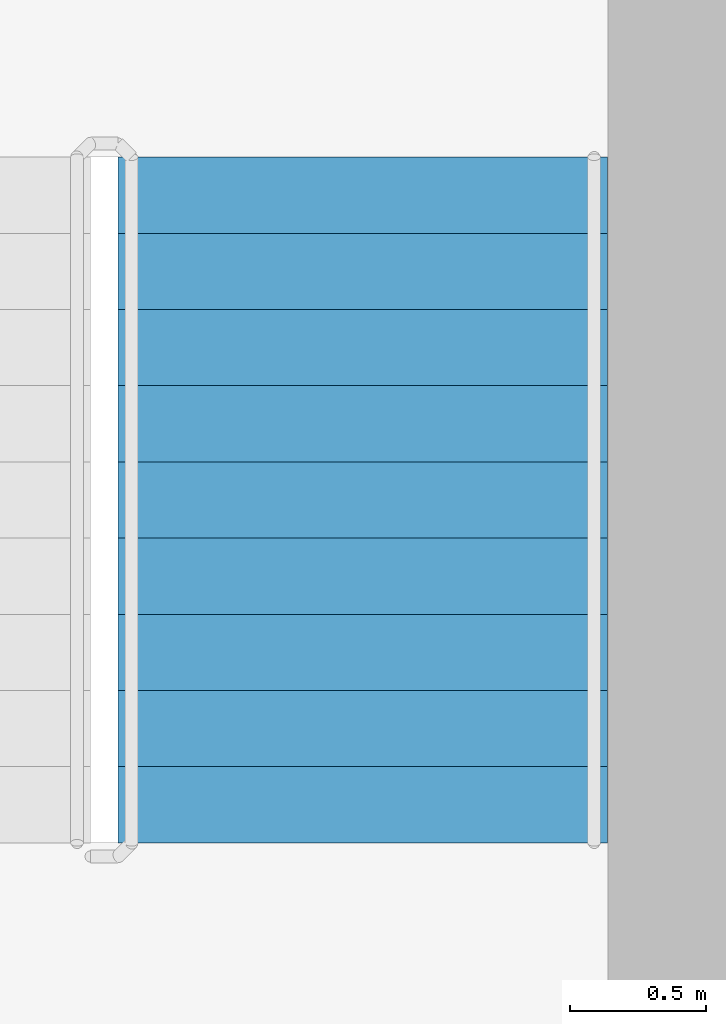
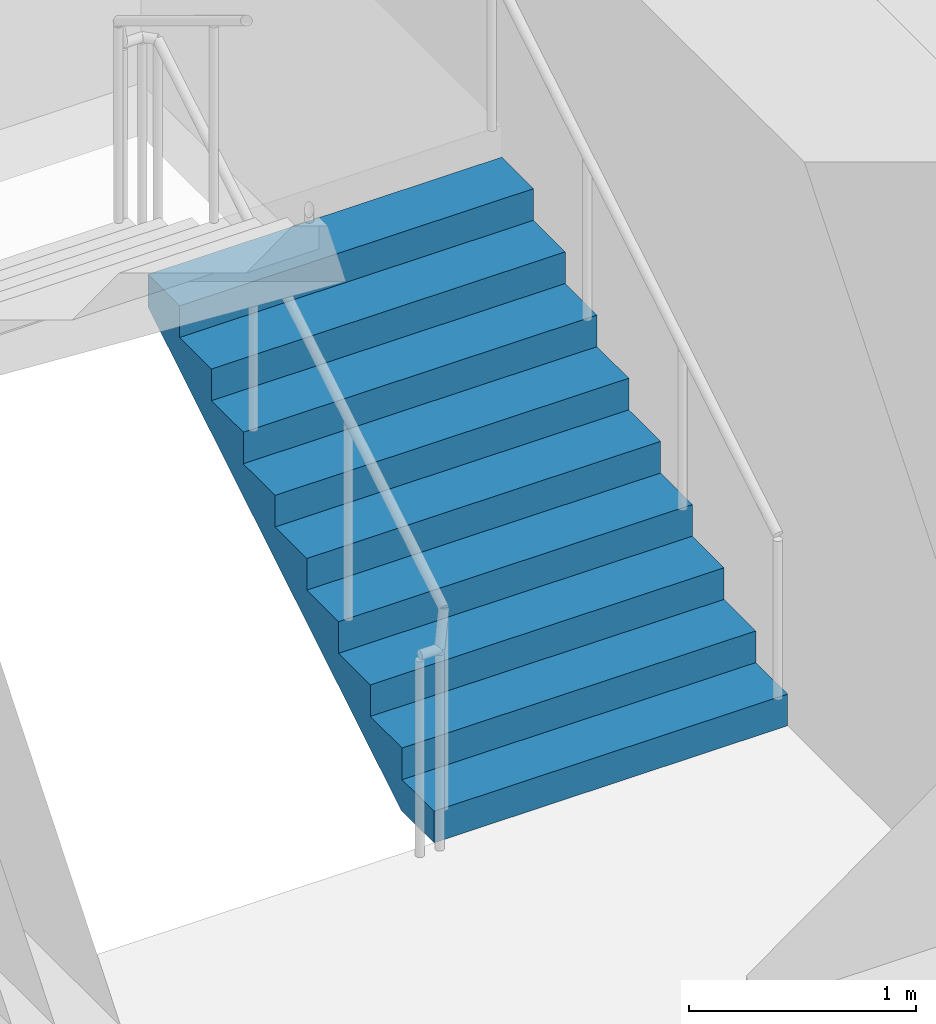
# One storey, part 13 of 22: 1 stair flight, 1 element without a shape of its own.
"""IFC4 building model written with IfcOpenShell, lengths in metres."""

from ifc_helpers import new_model, si_unit, direction, frame, origin, place, context, subcontext, project, spatial, triangles, source, transform, mapped, material, type_object, element, aggregate, save


model = new_model("IFC4")

# Units and contexts
model_context = context("Model", 3, precision=1e-05, world=origin(), true_north=direction((0.0, 1.0)))
body_context = subcontext(model_context, "Body", "Model", "MODEL_VIEW")
ifc_project = project(units=[si_unit("LENGTHUNIT", "METRE"), si_unit("AREAUNIT", "SQUARE_METRE"), si_unit("VOLUMEUNIT", "CUBIC_METRE"), si_unit("PLANEANGLEUNIT", "RADIAN"), si_unit("MASSUNIT", "GRAM", prefix="KILO")], contexts=[model_context])

# Site, building, storey
site_placement = place(None, origin())
site = spatial("IfcSite", under=ifc_project, at=site_placement, CompositionType="ELEMENT")
building_placement = place(site_placement, origin())
building = spatial("IfcBuilding", under=site, at=building_placement, Name="Kilnfold Tower and Market Hall", CompositionType="ELEMENT")
storey_placement = place(building_placement, frame((0.0, 0.0, 143.89990234375)))
storey = spatial("IfcBuildingStorey", under=building, at=storey_placement, Name="L32", CompositionType="ELEMENT", Elevation=143.89990234375)

# Stair, stair flight
ifc_material_1 = material(Name="Concrete C40/50", Category="concrete")
stair_type = type_object("IfcStairType", Name="CORE STAIR 1800", PredefinedType="HALF_TURN_STAIR", material=ifc_material_1)
stair_placement = place(storey_placement, origin())
stair = element("IfcStair", 1, at=stair_placement, inside=storey, type_object=stair_type, Name="L32 ST2", PredefinedType="HALF_TURN_STAIR")
ifc_material_2 = material(Name="Concrete C40/50", Category="concrete")
stair_flight_type = type_object("IfcStairFlightType", Name="CORE STAIR FLIGHT 1800", PredefinedType="STRAIGHT", material=ifc_material_2)
shared_shape = source(origin(), body_context, "Body", "Tessellation", [
    triangles([(0.0, 0.89990234375, 0.0), (0.0, 0.78759765625, 0.0), (0.0, 0.675048828125, 0.0), (0.0, 0.5625, 0.0), (0.0, 0.449951171875, 0.0), (0.0, 0.33740234375, 0.0), (0.0, 0.22509765625, 0.0), (0.0, 0.112548828125, 0.0), (0.0, 0.0, 0.0), (0.0, -0.112548828125, 0.0), (0.0, -0.22509765625, 0.0), (0.0, -0.33740234375, 0.0), (0.0, -0.449951171875, 0.0), (0.0, -0.5625, 0.0), (0.0, -0.675048828125, 0.0), (0.0, -0.78759765625, 0.0), (0.0, -0.89990234375, 0.0), (0.0, 0.89990234375, 0.169921875), (0.0, 0.78759765625, 0.169921875), (0.0, 0.675048828125, 0.169921875), (0.0, 0.5625, 0.169921875), (0.0, 0.449951171875, 0.169921875), (0.0, 0.33740234375, 0.169921875), (0.0, 0.22509765625, 0.169921875), (0.0, 0.112548828125, 0.169921875), (0.0, 0.0, 0.169921875), (0.0, -0.112548828125, 0.169921875), (0.0, -0.22509765625, 0.169921875), (0.0, -0.33740234375, 0.169921875), (0.0, -0.449951171875, 0.169921875), (0.0, -0.5625, 0.169921875), (0.0, -0.675048828125, 0.169921875), (0.0, -0.78759765625, 0.169921875), (0.0, -0.89990234375, 0.169921875), (0.280029296875, 0.89990234375, 0.169921875), (0.280029296875, 0.78759765625, 0.169921875), (0.280029296875, 0.675048828125, 0.169921875), (0.280029296875, 0.5625, 0.169921875), (0.280029296875, 0.449951171875, 0.169921875), (0.280029296875, 0.33740234375, 0.169921875), (0.280029296875, 0.22509765625, 0.169921875), (0.280029296875, 0.112548828125, 0.169921875), (0.280029296875, 0.0, 0.169921875), (0.280029296875, -0.112548828125, 0.169921875), (0.280029296875, -0.22509765625, 0.169921875), (0.280029296875, -0.33740234375, 0.169921875), (0.280029296875, -0.449951171875, 0.169921875), (0.280029296875, -0.5625, 0.169921875), (0.280029296875, -0.675048828125, 0.169921875), (0.280029296875, -0.78759765625, 0.169921875), (0.280029296875, -0.89990234375, 0.169921875), (0.280029296875, 0.89990234375, 0.340087890625), (0.280029296875, 0.78759765625, 0.340087890625), (0.280029296875, 0.675048828125, 0.340087890625), (0.280029296875, 0.5625, 0.340087890625), (0.280029296875, 0.449951171875, 0.340087890625), (0.280029296875, 0.33740234375, 0.340087890625), (0.280029296875, 0.22509765625, 0.340087890625), (0.280029296875, 0.112548828125, 0.340087890625), (0.280029296875, 0.0, 0.340087890625), (0.280029296875, -0.112548828125, 0.340087890625), (0.280029296875, -0.22509765625, 0.340087890625), (0.280029296875, -0.33740234375, 0.340087890625), (0.280029296875, -0.449951171875, 0.340087890625), (0.280029296875, -0.5625, 0.340087890625), (0.280029296875, -0.675048828125, 0.340087890625), (0.280029296875, -0.78759765625, 0.340087890625), (0.280029296875, -0.89990234375, 0.340087890625), (0.56005859375, 0.89990234375, 0.340087890625), (0.56005859375, 0.78759765625, 0.340087890625), (0.56005859375, 0.675048828125, 0.340087890625), (0.56005859375, 0.5625, 0.340087890625), (0.56005859375, 0.449951171875, 0.340087890625), (0.56005859375, 0.33740234375, 0.340087890625), (0.56005859375, 0.22509765625, 0.340087890625), (0.56005859375, 0.112548828125, 0.340087890625), (0.56005859375, 0.0, 0.340087890625), (0.56005859375, -0.112548828125, 0.340087890625), (0.56005859375, -0.22509765625, 0.340087890625), (0.56005859375, -0.33740234375, 0.340087890625), (0.56005859375, -0.449951171875, 0.340087890625), (0.56005859375, -0.5625, 0.340087890625), (0.56005859375, -0.675048828125, 0.340087890625), (0.56005859375, -0.78759765625, 0.340087890625), (0.56005859375, -0.89990234375, 0.340087890625), (0.56005859375, 0.89990234375, 0.510009765625), (0.56005859375, 0.78759765625, 0.510009765625), (0.56005859375, 0.675048828125, 0.510009765625), (0.56005859375, 0.5625, 0.510009765625), (0.56005859375, 0.449951171875, 0.510009765625), (0.56005859375, 0.33740234375, 0.510009765625), (0.56005859375, 0.22509765625, 0.510009765625), (0.56005859375, 0.112548828125, 0.510009765625), (0.56005859375, 0.0, 0.510009765625), (0.56005859375, -0.112548828125, 0.510009765625), (0.56005859375, -0.22509765625, 0.510009765625), (0.56005859375, -0.33740234375, 0.510009765625), (0.56005859375, -0.449951171875, 0.510009765625), (0.56005859375, -0.5625, 0.510009765625), (0.56005859375, -0.675048828125, 0.510009765625), (0.56005859375, -0.78759765625, 0.510009765625), (0.56005859375, -0.89990234375, 0.510009765625), (0.840087890625, 0.89990234375, 0.510009765625), (0.840087890625, 0.78759765625, 0.510009765625), (0.840087890625, 0.675048828125, 0.510009765625), (0.840087890625, 0.5625, 0.510009765625), (0.840087890625, 0.449951171875, 0.510009765625), (0.840087890625, 0.33740234375, 0.510009765625), (0.840087890625, 0.22509765625, 0.510009765625), (0.840087890625, 0.112548828125, 0.510009765625), (0.840087890625, 0.0, 0.510009765625), (0.840087890625, -0.112548828125, 0.510009765625), (0.840087890625, -0.22509765625, 0.510009765625), (0.840087890625, -0.33740234375, 0.510009765625), (0.840087890625, -0.449951171875, 0.510009765625), (0.840087890625, -0.5625, 0.510009765625), (0.840087890625, -0.675048828125, 0.510009765625), (0.840087890625, -0.78759765625, 0.510009765625), (0.840087890625, -0.89990234375, 0.510009765625), (0.840087890625, 0.89990234375, 0.679931640625), (0.840087890625, 0.78759765625, 0.679931640625), (0.840087890625, 0.675048828125, 0.679931640625), (0.840087890625, 0.5625, 0.679931640625), (0.840087890625, 0.449951171875, 0.679931640625), (0.840087890625, 0.33740234375, 0.679931640625), (0.840087890625, 0.22509765625, 0.679931640625), (0.840087890625, 0.112548828125, 0.679931640625), (0.840087890625, 0.0, 0.679931640625), (0.840087890625, -0.112548828125, 0.679931640625), (0.840087890625, -0.22509765625, 0.679931640625), (0.840087890625, -0.33740234375, 0.679931640625), (0.840087890625, -0.449951171875, 0.679931640625), (0.840087890625, -0.5625, 0.679931640625), (0.840087890625, -0.675048828125, 0.679931640625), (0.840087890625, -0.78759765625, 0.679931640625), (0.840087890625, -0.89990234375, 0.679931640625), (1.1201171875, 0.89990234375, 0.679931640625), (1.1201171875, 0.78759765625, 0.679931640625), (1.1201171875, 0.675048828125, 0.679931640625), (1.1201171875, 0.5625, 0.679931640625), (1.1201171875, 0.449951171875, 0.679931640625), (1.1201171875, 0.33740234375, 0.679931640625), (1.1201171875, 0.22509765625, 0.679931640625), (1.1201171875, 0.112548828125, 0.679931640625), (1.1201171875, 0.0, 0.679931640625), (1.1201171875, -0.112548828125, 0.679931640625), (1.1201171875, -0.22509765625, 0.679931640625), (1.1201171875, -0.33740234375, 0.679931640625), (1.1201171875, -0.449951171875, 0.679931640625), (1.1201171875, -0.5625, 0.679931640625), (1.1201171875, -0.675048828125, 0.679931640625), (1.1201171875, -0.78759765625, 0.679931640625), (1.1201171875, -0.89990234375, 0.679931640625), (1.1201171875, 0.89990234375, 0.85009765625), (1.1201171875, 0.78759765625, 0.85009765625), (1.1201171875, 0.675048828125, 0.85009765625), (1.1201171875, 0.5625, 0.85009765625), (1.1201171875, 0.449951171875, 0.85009765625), (1.1201171875, 0.33740234375, 0.85009765625), (1.1201171875, 0.22509765625, 0.85009765625), (1.1201171875, 0.112548828125, 0.85009765625), (1.1201171875, 0.0, 0.85009765625), (1.1201171875, -0.112548828125, 0.85009765625), (1.1201171875, -0.22509765625, 0.85009765625), (1.1201171875, -0.33740234375, 0.85009765625), (1.1201171875, -0.449951171875, 0.85009765625), (1.1201171875, -0.5625, 0.85009765625), (1.1201171875, -0.675048828125, 0.85009765625), (1.1201171875, -0.78759765625, 0.85009765625), (1.1201171875, -0.89990234375, 0.85009765625), (1.39990234375, 0.89990234375, 0.85009765625), (1.39990234375, 0.78759765625, 0.85009765625), (1.39990234375, 0.675048828125, 0.85009765625), (1.39990234375, 0.5625, 0.85009765625), (1.39990234375, 0.449951171875, 0.85009765625), (1.39990234375, 0.33740234375, 0.85009765625), (1.39990234375, 0.22509765625, 0.85009765625), (1.39990234375, 0.112548828125, 0.85009765625), (1.39990234375, 0.0, 0.85009765625), (1.39990234375, -0.112548828125, 0.85009765625), (1.39990234375, -0.22509765625, 0.85009765625), (1.39990234375, -0.33740234375, 0.85009765625), (1.39990234375, -0.449951171875, 0.85009765625), (1.39990234375, -0.5625, 0.85009765625), (1.39990234375, -0.675048828125, 0.85009765625), (1.39990234375, -0.78759765625, 0.85009765625), (1.39990234375, -0.89990234375, 0.85009765625), (1.39990234375, 0.89990234375, 1.02001953125), (1.39990234375, 0.78759765625, 1.02001953125), (1.39990234375, 0.675048828125, 1.02001953125), (1.39990234375, 0.5625, 1.02001953125), (1.39990234375, 0.449951171875, 1.02001953125), (1.39990234375, 0.33740234375, 1.02001953125), (1.39990234375, 0.22509765625, 1.02001953125), (1.39990234375, 0.112548828125, 1.02001953125), (1.39990234375, 0.0, 1.02001953125), (1.39990234375, -0.112548828125, 1.02001953125), (1.39990234375, -0.22509765625, 1.02001953125), (1.39990234375, -0.33740234375, 1.02001953125), (1.39990234375, -0.449951171875, 1.02001953125), (1.39990234375, -0.5625, 1.02001953125), (1.39990234375, -0.675048828125, 1.02001953125), (1.39990234375, -0.78759765625, 1.02001953125), (1.39990234375, -0.89990234375, 1.02001953125), (1.679931640625, 0.89990234375, 1.02001953125), (1.679931640625, 0.78759765625, 1.02001953125), (1.679931640625, 0.675048828125, 1.02001953125), (1.679931640625, 0.5625, 1.02001953125), (1.679931640625, 0.449951171875, 1.02001953125), (1.679931640625, 0.33740234375, 1.02001953125), (1.679931640625, 0.22509765625, 1.02001953125), (1.679931640625, 0.112548828125, 1.02001953125), (1.679931640625, 0.0, 1.02001953125), (1.679931640625, -0.112548828125, 1.02001953125), (1.679931640625, -0.22509765625, 1.02001953125), (1.679931640625, -0.33740234375, 1.02001953125), (1.679931640625, -0.449951171875, 1.02001953125), (1.679931640625, -0.5625, 1.02001953125), (1.679931640625, -0.675048828125, 1.02001953125), (1.679931640625, -0.78759765625, 1.02001953125), (1.679931640625, -0.89990234375, 1.02001953125), (1.679931640625, 0.89990234375, 1.18994140625), (1.679931640625, 0.78759765625, 1.18994140625), (1.679931640625, 0.675048828125, 1.18994140625), (1.679931640625, 0.5625, 1.18994140625), (1.679931640625, 0.449951171875, 1.18994140625), (1.679931640625, 0.33740234375, 1.18994140625), (1.679931640625, 0.22509765625, 1.18994140625), (1.679931640625, 0.112548828125, 1.18994140625), (1.679931640625, 0.0, 1.18994140625), (1.679931640625, -0.112548828125, 1.18994140625), (1.679931640625, -0.22509765625, 1.18994140625), (1.679931640625, -0.33740234375, 1.18994140625), (1.679931640625, -0.449951171875, 1.18994140625), (1.679931640625, -0.5625, 1.18994140625), (1.679931640625, -0.675048828125, 1.18994140625), (1.679931640625, -0.78759765625, 1.18994140625), (1.679931640625, -0.89990234375, 1.18994140625), (1.9599609375, 0.89990234375, 1.18994140625), (1.9599609375, 0.78759765625, 1.18994140625), (1.9599609375, 0.675048828125, 1.18994140625), (1.9599609375, 0.5625, 1.18994140625), (1.9599609375, 0.449951171875, 1.18994140625), (1.9599609375, 0.33740234375, 1.18994140625), (1.9599609375, 0.22509765625, 1.18994140625), (1.9599609375, 0.112548828125, 1.18994140625), (1.9599609375, 0.0, 1.18994140625), (1.9599609375, -0.112548828125, 1.18994140625), (1.9599609375, -0.22509765625, 1.18994140625), (1.9599609375, -0.33740234375, 1.18994140625), (1.9599609375, -0.449951171875, 1.18994140625), (1.9599609375, -0.5625, 1.18994140625), (1.9599609375, -0.675048828125, 1.18994140625), (1.9599609375, -0.78759765625, 1.18994140625), (1.9599609375, -0.89990234375, 1.18994140625), (1.9599609375, 0.89990234375, 1.360107421875), (1.9599609375, 0.78759765625, 1.360107421875), (1.9599609375, 0.675048828125, 1.360107421875), (1.9599609375, 0.5625, 1.360107421875), (1.9599609375, 0.449951171875, 1.360107421875), (1.9599609375, 0.33740234375, 1.360107421875), (1.9599609375, 0.22509765625, 1.360107421875), (1.9599609375, 0.112548828125, 1.360107421875), (1.9599609375, 0.0, 1.360107421875), (1.9599609375, -0.112548828125, 1.360107421875), (1.9599609375, -0.22509765625, 1.360107421875), (1.9599609375, -0.33740234375, 1.360107421875), (1.9599609375, -0.449951171875, 1.360107421875), (1.9599609375, -0.5625, 1.360107421875), (1.9599609375, -0.675048828125, 1.360107421875), (1.9599609375, -0.78759765625, 1.360107421875), (1.9599609375, -0.89990234375, 1.360107421875), (2.239990234375, 0.89990234375, 1.360107421875), (2.239990234375, 0.78759765625, 1.360107421875), (2.239990234375, 0.675048828125, 1.360107421875), (2.239990234375, 0.5625, 1.360107421875), (2.239990234375, 0.449951171875, 1.360107421875), (2.239990234375, 0.33740234375, 1.360107421875), (2.239990234375, 0.22509765625, 1.360107421875), (2.239990234375, 0.112548828125, 1.360107421875), (2.239990234375, 0.0, 1.360107421875), (2.239990234375, -0.112548828125, 1.360107421875), (2.239990234375, -0.22509765625, 1.360107421875), (2.239990234375, -0.33740234375, 1.360107421875), (2.239990234375, -0.449951171875, 1.360107421875), (2.239990234375, -0.5625, 1.360107421875), (2.239990234375, -0.675048828125, 1.360107421875), (2.239990234375, -0.78759765625, 1.360107421875), (2.239990234375, -0.89990234375, 1.360107421875), (2.239990234375, 0.89990234375, 1.530029296875), (2.239990234375, 0.78759765625, 1.530029296875), (2.239990234375, 0.675048828125, 1.530029296875), (2.239990234375, 0.5625, 1.530029296875), (2.239990234375, 0.449951171875, 1.530029296875), (2.239990234375, 0.33740234375, 1.530029296875), (2.239990234375, 0.22509765625, 1.530029296875), (2.239990234375, 0.112548828125, 1.530029296875), (2.239990234375, 0.0, 1.530029296875), (2.239990234375, -0.112548828125, 1.530029296875), (2.239990234375, -0.22509765625, 1.530029296875), (2.239990234375, -0.33740234375, 1.530029296875), (2.239990234375, -0.449951171875, 1.530029296875), (2.239990234375, -0.5625, 1.530029296875), (2.239990234375, -0.675048828125, 1.530029296875), (2.239990234375, -0.78759765625, 1.530029296875), (2.239990234375, -0.89990234375, 1.530029296875), (2.52001953125, 0.89990234375, 1.530029296875), (2.52001953125, 0.78759765625, 1.530029296875), (2.52001953125, 0.675048828125, 1.530029296875), (2.52001953125, 0.5625, 1.530029296875), (2.52001953125, 0.449951171875, 1.530029296875), (2.52001953125, 0.33740234375, 1.530029296875), (2.52001953125, 0.22509765625, 1.530029296875), (2.52001953125, 0.112548828125, 1.530029296875), (2.52001953125, 0.0, 1.530029296875), (2.52001953125, -0.112548828125, 1.530029296875), (2.52001953125, -0.22509765625, 1.530029296875), (2.52001953125, -0.33740234375, 1.530029296875), (2.52001953125, -0.449951171875, 1.530029296875), (2.52001953125, -0.5625, 1.530029296875), (2.52001953125, -0.675048828125, 1.530029296875), (2.52001953125, -0.78759765625, 1.530029296875), (2.52001953125, -0.89990234375, 1.530029296875), (2.52001953125, 0.89990234375, 1.354736328125), (2.52001953125, 0.78759765625, 1.354736328125), (2.52001953125, 0.675048828125, 1.354736328125), (2.52001953125, 0.5625, 1.354736328125), (2.52001953125, 0.449951171875, 1.354736328125), (2.52001953125, 0.33740234375, 1.354736328125), (2.52001953125, 0.22509765625, 1.354736328125), (2.52001953125, 0.112548828125, 1.354736328125), (2.52001953125, 0.0, 1.354736328125), (2.52001953125, -0.112548828125, 1.354736328125), (2.52001953125, -0.22509765625, 1.354736328125), (2.52001953125, -0.33740234375, 1.354736328125), (2.52001953125, -0.449951171875, 1.354736328125), (2.52001953125, -0.5625, 1.354736328125), (2.52001953125, -0.675048828125, 1.354736328125), (2.52001953125, -0.78759765625, 1.354736328125), (2.52001953125, -0.89990234375, 1.354736328125), (0.288818359375, 0.89990234375, 0.0), (0.288818359375, 0.78759765625, 0.0), (0.288818359375, 0.675048828125, 0.0), (0.288818359375, 0.5625, 0.0), (0.288818359375, 0.449951171875, 0.0), (0.288818359375, 0.33740234375, 0.0), (0.288818359375, 0.22509765625, 0.0), (0.288818359375, 0.112548828125, 0.0), (0.288818359375, 0.0, 0.0), (0.288818359375, -0.112548828125, 0.0), (0.288818359375, -0.22509765625, 0.0), (0.288818359375, -0.33740234375, 0.0), (0.288818359375, -0.449951171875, 0.0), (0.288818359375, -0.5625, 0.0), (0.288818359375, -0.675048828125, 0.0), (0.288818359375, -0.78759765625, 0.0), (0.288818359375, -0.89990234375, 0.0)], [[1, 324, 341], [17, 357, 340], [324, 290, 307], [340, 323, 306], [324, 273, 290], [340, 306, 289], [324, 256, 273], [340, 289, 272], [324, 239, 256], [340, 272, 255], [239, 205, 222], [255, 238, 221], [324, 205, 239], [340, 255, 221], [205, 171, 188], [221, 204, 187], [324, 171, 205], [340, 221, 187], [171, 137, 154], [187, 170, 153], [324, 137, 171], [340, 187, 153], [137, 103, 120], [153, 136, 119], [324, 103, 137], [340, 153, 119], [103, 69, 86], [119, 102, 85], [324, 69, 103], [340, 119, 85], [69, 35, 52], [85, 68, 51], [324, 35, 69], [340, 85, 51], [1, 35, 324], [17, 340, 51], [35, 1, 18], [51, 34, 17], [1, 19, 18], [1, 2, 19], [2, 20, 19], [2, 3, 20], [3, 21, 20], [3, 4, 21], [4, 22, 21], [4, 5, 22], [5, 23, 22], [5, 6, 23], [6, 24, 23], [6, 7, 24], [7, 25, 24], [7, 8, 25], [8, 26, 25], [8, 9, 26], [9, 27, 26], [9, 10, 27], [10, 28, 27], [10, 11, 28], [11, 29, 28], [11, 12, 29], [12, 30, 29], [12, 13, 30], [13, 31, 30], [13, 14, 31], [14, 32, 31], [14, 15, 32], [15, 33, 32], [15, 16, 33], [16, 34, 33], [16, 17, 34], [18, 36, 35], [18, 19, 36], [19, 37, 36], [19, 20, 37], [20, 38, 37], [20, 21, 38], [21, 39, 38], [21, 22, 39], [22, 40, 39], [22, 23, 40], [23, 41, 40], [23, 24, 41], [24, 42, 41], [24, 25, 42], [25, 43, 42], [25, 26, 43], [26, 44, 43], [26, 27, 44], [27, 45, 44], [27, 28, 45], [28, 46, 45], [28, 29, 46], [29, 47, 46], [29, 30, 47], [30, 48, 47], [30, 31, 48], [31, 49, 48], [31, 32, 49], [32, 50, 49], [32, 33, 50], [33, 51, 50], [33, 34, 51], [35, 53, 52], [35, 36, 53], [36, 54, 53], [36, 37, 54], [37, 55, 54], [37, 38, 55], [38, 56, 55], [38, 39, 56], [39, 57, 56], [39, 40, 57], [40, 58, 57], [40, 41, 58], [41, 59, 58], [41, 42, 59], [42, 60, 59], [42, 43, 60], [43, 61, 60], [43, 44, 61], [44, 62, 61], [44, 45, 62], [45, 63, 62], [45, 46, 63], [46, 64, 63], [46, 47, 64], [47, 65, 64], [47, 48, 65], [48, 66, 65], [48, 49, 66], [49, 67, 66], [49, 50, 67], [50, 68, 67], [50, 51, 68], [52, 70, 69], [52, 53, 70], [53, 71, 70], [53, 54, 71], [54, 72, 71], [54, 55, 72], [55, 73, 72], [55, 56, 73], [56, 74, 73], [56, 57, 74], [57, 75, 74], [57, 58, 75], [58, 76, 75], [58, 59, 76], [59, 77, 76], [59, 60, 77], [60, 78, 77], [60, 61, 78], [61, 79, 78], [61, 62, 79], [62, 80, 79], [62, 63, 80], [63, 81, 80], [63, 64, 81], [64, 82, 81], [64, 65, 82], [65, 83, 82], [65, 66, 83], [66, 84, 83], [66, 67, 84], [67, 85, 84], [67, 68, 85], [69, 87, 86], [69, 70, 87], [70, 88, 87], [70, 71, 88], [71, 89, 88], [71, 72, 89], [72, 90, 89], [72, 73, 90], [73, 91, 90], [73, 74, 91], [74, 92, 91], [74, 75, 92], [75, 93, 92], [75, 76, 93], [76, 94, 93], [76, 77, 94], [77, 95, 94], [77, 78, 95], [78, 96, 95], [78, 79, 96], [79, 97, 96], [79, 80, 97], [80, 98, 97], [80, 81, 98], [81, 99, 98], [81, 82, 99], [82, 100, 99], [82, 83, 100], [83, 101, 100], [83, 84, 101], [84, 102, 101], [84, 85, 102], [86, 104, 103], [86, 87, 104], [87, 105, 104], [87, 88, 105], [88, 106, 105], [88, 89, 106], [89, 107, 106], [89, 90, 107], [90, 108, 107], [90, 91, 108], [91, 109, 108], [91, 92, 109], [92, 110, 109], [92, 93, 110], [93, 111, 110], [93, 94, 111], [94, 112, 111], [94, 95, 112], [95, 113, 112], [95, 96, 113], [96, 114, 113], [96, 97, 114], [97, 115, 114], [97, 98, 115], [98, 116, 115], [98, 99, 116], [99, 117, 116], [99, 100, 117], [100, 118, 117], [100, 101, 118], [101, 119, 118], [101, 102, 119], [103, 121, 120], [103, 104, 121], [104, 122, 121], [104, 105, 122], [105, 123, 122], [105, 106, 123], [106, 124, 123], [106, 107, 124], [107, 125, 124], [107, 108, 125], [108, 126, 125], [108, 109, 126], [109, 127, 126], [109, 110, 127], [110, 128, 127], [110, 111, 128], [111, 129, 128], [111, 112, 129], [112, 130, 129], [112, 113, 130], [113, 131, 130], [113, 114, 131], [114, 132, 131], [114, 115, 132], [115, 133, 132], [115, 116, 133], [116, 134, 133], [116, 117, 134], [117, 135, 134], [117, 118, 135], [118, 136, 135], [118, 119, 136], [120, 138, 137], [120, 121, 138], [121, 139, 138], [121, 122, 139], [122, 140, 139], [122, 123, 140], [123, 141, 140], [123, 124, 141], [124, 142, 141], [124, 125, 142], [125, 143, 142], [125, 126, 143], [126, 144, 143], [126, 127, 144], [127, 145, 144], [127, 128, 145], [128, 146, 145], [128, 129, 146], [129, 147, 146], [129, 130, 147], [130, 148, 147], [130, 131, 148], [131, 149, 148], [131, 132, 149], [132, 150, 149], [132, 133, 150], [133, 151, 150], [133, 134, 151], [134, 152, 151], [134, 135, 152], [135, 153, 152], [135, 136, 153], [137, 155, 154], [137, 138, 155], [138, 156, 155], [138, 139, 156], [139, 157, 156], [139, 140, 157], [140, 158, 157], [140, 141, 158], [141, 159, 158], [141, 142, 159], [142, 160, 159], [142, 143, 160], [143, 161, 160], [143, 144, 161], [144, 162, 161], [144, 145, 162], [145, 163, 162], [145, 146, 163], [146, 164, 163], [146, 147, 164], [147, 165, 164], [147, 148, 165], [148, 166, 165], [148, 149, 166], [149, 167, 166], [149, 150, 167], [150, 168, 167], [150, 151, 168], [151, 169, 168], [151, 152, 169], [152, 170, 169], [152, 153, 170], [154, 172, 171], [154, 155, 172], [155, 173, 172], [155, 156, 173], [156, 174, 173], [156, 157, 174], [157, 175, 174], [157, 158, 175], [158, 176, 175], [158, 159, 176], [159, 177, 176], [159, 160, 177], [160, 178, 177], [160, 161, 178], [161, 179, 178], [161, 162, 179], [162, 180, 179], [162, 163, 180], [163, 181, 180], [163, 164, 181], [164, 182, 181], [164, 165, 182], [165, 183, 182], [165, 166, 183], [166, 184, 183], [166, 167, 184], [167, 185, 184], [167, 168, 185], [168, 186, 185], [168, 169, 186], [169, 187, 186], [169, 170, 187], [171, 189, 188], [171, 172, 189], [172, 190, 189], [172, 173, 190], [173, 191, 190], [173, 174, 191], [174, 192, 191], [174, 175, 192], [175, 193, 192], [175, 176, 193], [176, 194, 193], [176, 177, 194], [177, 195, 194], [177, 178, 195], [178, 196, 195], [178, 179, 196], [179, 197, 196], [179, 180, 197], [180, 198, 197], [180, 181, 198], [181, 199, 198], [181, 182, 199], [182, 200, 199], [182, 183, 200], [183, 201, 200], [183, 184, 201], [184, 202, 201], [184, 185, 202], [185, 203, 202], [185, 186, 203], [186, 204, 203], [186, 187, 204], [188, 206, 205], [188, 189, 206], [189, 207, 206], [189, 190, 207], [190, 208, 207], [190, 191, 208], [191, 209, 208], [191, 192, 209], [192, 210, 209], [192, 193, 210], [193, 211, 210], [193, 194, 211], [194, 212, 211], [194, 195, 212], [195, 213, 212], [195, 196, 213], [196, 214, 213], [196, 197, 214], [197, 215, 214], [197, 198, 215], [198, 216, 215], [198, 199, 216], [199, 217, 216], [199, 200, 217], [200, 218, 217], [200, 201, 218], [201, 219, 218], [201, 202, 219], [202, 220, 219], [202, 203, 220], [203, 221, 220], [203, 204, 221], [205, 223, 222], [205, 206, 223], [206, 224, 223], [206, 207, 224], [207, 225, 224], [207, 208, 225], [208, 226, 225], [208, 209, 226], [209, 227, 226], [209, 210, 227], [210, 228, 227], [210, 211, 228], [211, 229, 228], [211, 212, 229], [212, 230, 229], [212, 213, 230], [213, 231, 230], [213, 214, 231], [214, 232, 231], [214, 215, 232], [215, 233, 232], [215, 216, 233], [216, 234, 233], [216, 217, 234], [217, 235, 234], [217, 218, 235], [218, 236, 235], [218, 219, 236], [219, 237, 236], [219, 220, 237], [220, 238, 237], [220, 221, 238], [222, 240, 239], [222, 223, 240], [223, 241, 240], [223, 224, 241], [224, 242, 241], [224, 225, 242], [225, 243, 242], [225, 226, 243], [226, 244, 243], [226, 227, 244], [227, 245, 244], [227, 228, 245], [228, 246, 245], [228, 229, 246], [229, 247, 246], [229, 230, 247], [230, 248, 247], [230, 231, 248], [231, 249, 248], [231, 232, 249], [232, 250, 249], [232, 233, 250], [233, 251, 250], [233, 234, 251], [234, 252, 251], [234, 235, 252], [235, 253, 252], [235, 236, 253], [236, 254, 253], [236, 237, 254], [237, 255, 254], [237, 238, 255], [239, 257, 256], [239, 240, 257], [240, 258, 257], [240, 241, 258], [241, 259, 258], [241, 242, 259], [242, 260, 259], [242, 243, 260], [243, 261, 260], [243, 244, 261], [244, 262, 261], [244, 245, 262], [245, 263, 262], [245, 246, 263], [246, 264, 263], [246, 247, 264], [247, 265, 264], [247, 248, 265], [248, 266, 265], [248, 249, 266], [249, 267, 266], [249, 250, 267], [250, 268, 267], [250, 251, 268], [251, 269, 268], [251, 252, 269], [252, 270, 269], [252, 253, 270], [253, 271, 270], [253, 254, 271], [254, 272, 271], [254, 255, 272], [256, 274, 273], [256, 257, 274], [257, 275, 274], [257, 258, 275], [258, 276, 275], [258, 259, 276], [259, 277, 276], [259, 260, 277], [260, 278, 277], [260, 261, 278], [261, 279, 278], [261, 262, 279], [262, 280, 279], [262, 263, 280], [263, 281, 280], [263, 264, 281], [264, 282, 281], [264, 265, 282], [265, 283, 282], [265, 266, 283], [266, 284, 283], [266, 267, 284], [267, 285, 284], [267, 268, 285], [268, 286, 285], [268, 269, 286], [269, 287, 286], [269, 270, 287], [270, 288, 287], [270, 271, 288], [271, 289, 288], [271, 272, 289], [273, 291, 290], [273, 274, 291], [274, 292, 291], [274, 275, 292], [275, 293, 292], [275, 276, 293], [276, 294, 293], [276, 277, 294], [277, 295, 294], [277, 278, 295], [278, 296, 295], [278, 279, 296], [279, 297, 296], [279, 280, 297], [280, 298, 297], [280, 281, 298], [281, 299, 298], [281, 282, 299], [282, 300, 299], [282, 283, 300], [283, 301, 300], [283, 284, 301], [284, 302, 301], [284, 285, 302], [285, 303, 302], [285, 286, 303], [286, 304, 303], [286, 287, 304], [287, 305, 304], [287, 288, 305], [288, 306, 305], [288, 289, 306], [290, 308, 307], [290, 291, 308], [291, 309, 308], [291, 292, 309], [292, 310, 309], [292, 293, 310], [293, 311, 310], [293, 294, 311], [294, 312, 311], [294, 295, 312], [295, 313, 312], [295, 296, 313], [296, 314, 313], [296, 297, 314], [297, 315, 314], [297, 298, 315], [298, 316, 315], [298, 299, 316], [299, 317, 316], [299, 300, 317], [300, 318, 317], [300, 301, 318], [301, 319, 318], [301, 302, 319], [302, 320, 319], [302, 303, 320], [303, 321, 320], [303, 304, 321], [304, 322, 321], [304, 305, 322], [305, 323, 322], [305, 306, 323], [307, 325, 324], [307, 308, 325], [308, 326, 325], [308, 309, 326], [309, 327, 326], [309, 310, 327], [310, 328, 327], [310, 311, 328], [311, 329, 328], [311, 312, 329], [312, 330, 329], [312, 313, 330], [313, 331, 330], [313, 314, 331], [314, 332, 331], [314, 315, 332], [315, 333, 332], [315, 316, 333], [316, 334, 333], [316, 317, 334], [317, 335, 334], [317, 318, 335], [318, 336, 335], [318, 319, 336], [319, 337, 336], [319, 320, 337], [320, 338, 337], [320, 321, 338], [321, 339, 338], [321, 322, 339], [322, 340, 339], [322, 323, 340], [324, 342, 341], [324, 325, 342], [325, 343, 342], [325, 326, 343], [326, 344, 343], [326, 327, 344], [327, 345, 344], [327, 328, 345], [328, 346, 345], [328, 329, 346], [329, 347, 346], [329, 330, 347], [330, 348, 347], [330, 331, 348], [331, 349, 348], [331, 332, 349], [332, 350, 349], [332, 333, 350], [333, 351, 350], [333, 334, 351], [334, 352, 351], [334, 335, 352], [335, 353, 352], [335, 336, 353], [336, 354, 353], [336, 337, 354], [337, 355, 354], [337, 338, 355], [338, 356, 355], [338, 339, 356], [339, 357, 356], [339, 340, 357], [341, 2, 1], [341, 342, 2], [342, 3, 2], [342, 343, 3], [343, 4, 3], [343, 344, 4], [344, 5, 4], [344, 345, 5], [345, 6, 5], [345, 346, 6], [346, 7, 6], [346, 347, 7], [347, 8, 7], [347, 348, 8], [348, 9, 8], [348, 349, 9], [349, 10, 9], [349, 350, 10], [350, 11, 10], [350, 351, 11], [351, 12, 11], [351, 352, 12], [352, 13, 12], [352, 353, 13], [353, 14, 13], [353, 354, 14], [354, 15, 14], [354, 355, 15], [355, 16, 15], [355, 356, 16], [356, 17, 16], [356, 357, 17]], closed=True),
])
stair_flight_placement = place(storey_placement, frame((16.199951171875, 10.800048828125, 0.0), z_axis=(0.0, 0.0, 1.0), x_axis=(0.0, 1.0, 0.0)))
stair_flight = element("IfcStairFlight", 2, at=stair_flight_placement, type_object=stair_flight_type, Name="ST2 flight 1", NumberOfRisers=10, NumberOfTreads=9, PredefinedType="STRAIGHT", RiserHeight=0.17, TreadLength=0.28, context=body_context, shape_type="MappedRepresentation", body=[
    mapped(shared_shape, transform((0.0, 0.0, 0.0))),
])
aggregate(stair, [stair_flight])

save(model, "model.ifc")
